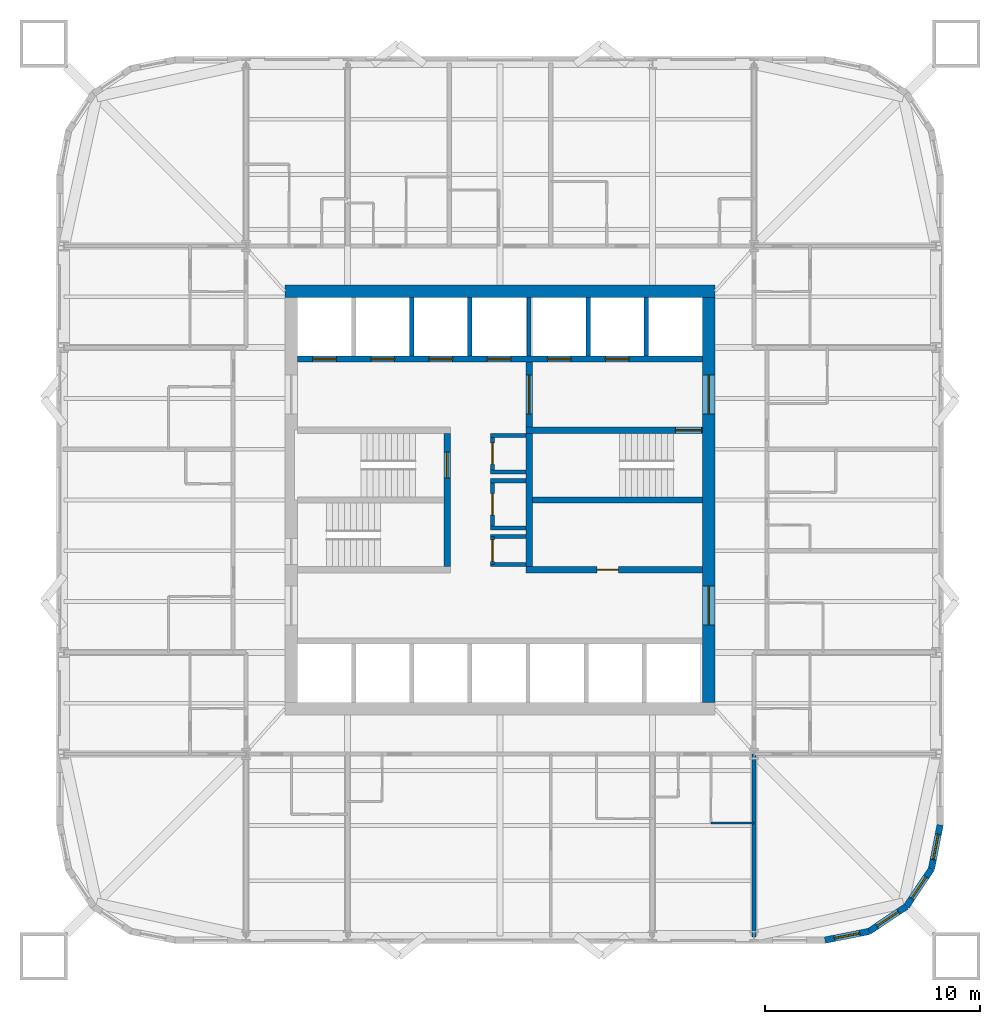
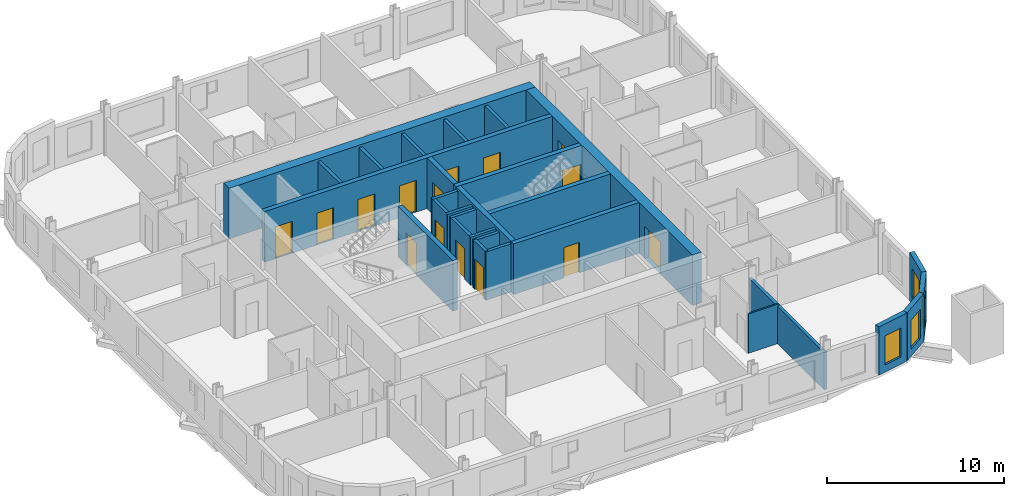
# One storey, part 5 of 9: 28 walls, 15 doors, 4 windows, 19 openings.
"""IFC4 building model written with IfcOpenShell, lengths in metres."""

from ifc_helpers import new_model, si_unit, direction, frame, frame_2d, origin, place, context, subcontext, project, spatial, rectangle, extrude, material, layer, layer_set, type_object, element, fill, save


model = new_model("IFC4")

# Units and contexts
model_context = context("Model", 3, precision=1e-05, world=origin(), true_north=direction((0.0, 1.0)))
body_context = subcontext(model_context, "Body", "Model", "MODEL_VIEW")
ifc_project = project(units=[si_unit("LENGTHUNIT", "METRE"), si_unit("AREAUNIT", "SQUARE_METRE"), si_unit("VOLUMEUNIT", "CUBIC_METRE"), si_unit("PLANEANGLEUNIT", "RADIAN"), si_unit("MASSUNIT", "GRAM", prefix="KILO")], contexts=[model_context])

# Site, building, storey
site_placement = place(None, origin())
site = spatial("IfcSite", under=ifc_project, at=site_placement, CompositionType="ELEMENT")
building_placement = place(site_placement, origin())
building = spatial("IfcBuilding", under=site, at=building_placement, Name="Turquesa Mirador Hotel Tower", CompositionType="ELEMENT")
storey_placement = place(building_placement, frame((0.0, 0.0, 117.89990234375)))
storey = spatial("IfcBuildingStorey", under=building, at=storey_placement, Name="L31", CompositionType="ELEMENT", Elevation=117.89990234375)

# Wall
ifc_material_1 = material(Name="Gypsum board on steel studs", Category="steel")
ifc_layer_1 = layer(ifc_material_1, 0.10009765625)
ifc_layer_set_1 = layer_set([ifc_layer_1], Name="BATHROOM WALL 100")
wall_type_1 = type_object("IfcWallType", Name="BATHROOM WALL 100", PredefinedType="PARTITIONING", material=ifc_layer_set_1)
wall_1_placement = place(storey_placement, frame((64.800048828125, 30.0, 0.0), z_axis=(0.0, 0.0, 1.0), x_axis=(1.0, 0.0, 0.0)))
element("IfcWall", 1, at=wall_1_placement, inside=storey, type_object=wall_type_1, Name="Partition L31 009", PredefinedType="PARTITIONING", context=body_context, shape_type="SweptSolid", body=[
    extrude(rectangle(XDim=2.0, YDim=0.10009765625, at=frame_2d((1.0, 0.0))), origin(), (0.0, 0.0, 1.0), 2.730712890625),
])

# Wall, openings, doors
ifc_material_2 = material(Name="Concrete C50/60", Category="concrete")
ifc_layer_2 = layer(ifc_material_2, 0.300048828125)
ifc_layer_set_2 = layer_set([ifc_layer_2], Name="CORE INNER WALL 300")
wall_type_2 = type_object("IfcWallType", Name="CORE INNER WALL 300", PredefinedType="SHEAR", material=ifc_layer_set_2)
wall_2_placement = place(storey_placement, frame((45.60009765625, 51.550048828125, 0.0), z_axis=(0.0, 0.0, 1.0), x_axis=(1.0, 0.0, 0.0)))
wall_2 = element("IfcWall", 2, at=wall_2_placement, inside=storey, type_object=wall_type_2, Name="Core wall NL", PredefinedType="SHEAR", context=body_context, shape_type="SweptSolid", body=[
    extrude(rectangle(XDim=18.7998046875, YDim=0.300048828125, at=frame_2d((9.39990234375, 0.0))), origin(), (0.0, 0.0, 1.0), 3.5),
])
opening_1_placement = place(wall_2_placement, frame((0.699951171875, 0.0, 0.0)))
opening_1 = element("IfcOpeningElement", 3, at=opening_1_placement, cuts=wall_2, Name="Opening LD", PredefinedType="OPENING", context=body_context, shape_type="SweptSolid", body=[
    extrude(rectangle(XDim=1.10009765625, YDim=2.199951171875, at=frame_2d((0.550048828125, 1.10009765625))), frame((0.0, 0.159912109375, 0.0), z_axis=(0.0, -1.0, 0.0), x_axis=(1.0, 0.0, 0.0)), (0.0, 0.0, 1.0), 0.320068359375),
])
opening_2_placement = place(wall_2_placement, frame((3.39990234375, 0.0, 0.0)))
opening_2 = element("IfcOpeningElement", 4, at=opening_2_placement, cuts=wall_2, Name="Opening LD", PredefinedType="OPENING", context=body_context, shape_type="SweptSolid", body=[
    extrude(rectangle(XDim=1.10009765625, YDim=2.199951171875, at=frame_2d((0.550048828125, 1.10009765625))), frame((0.0, 0.159912109375, 0.0), z_axis=(0.0, -1.0, 0.0), x_axis=(1.0, 0.0, 0.0)), (0.0, 0.0, 1.0), 0.320068359375),
])
opening_3_placement = place(wall_2_placement, frame((6.10009765625, 0.0, 0.0)))
opening_3 = element("IfcOpeningElement", 5, at=opening_3_placement, cuts=wall_2, Name="Opening LD", PredefinedType="OPENING", context=body_context, shape_type="SweptSolid", body=[
    extrude(rectangle(XDim=1.10009765625, YDim=2.199951171875, at=frame_2d((0.550048828125, 1.10009765625))), frame((0.0, 0.159912109375, 0.0), z_axis=(0.0, -1.0, 0.0), x_axis=(1.0, 0.0, 0.0)), (0.0, 0.0, 1.0), 0.320068359375),
])
opening_4_placement = place(wall_2_placement, frame((8.800048828125, 0.0, 0.0)))
opening_4 = element("IfcOpeningElement", 6, at=opening_4_placement, cuts=wall_2, Name="Opening LD", PredefinedType="OPENING", context=body_context, shape_type="SweptSolid", body=[
    extrude(rectangle(XDim=1.10009765625, YDim=2.199951171875, at=frame_2d((0.550048828125, 1.10009765625))), frame((0.0, 0.159912109375, 0.0), z_axis=(0.0, -1.0, 0.0), x_axis=(1.0, 0.0, 0.0)), (0.0, 0.0, 1.0), 0.320068359375),
])
opening_5_placement = place(wall_2_placement, frame((11.60009765625, 0.0, 0.0)))
opening_5 = element("IfcOpeningElement", 7, at=opening_5_placement, cuts=wall_2, Name="Opening LD", PredefinedType="OPENING", context=body_context, shape_type="SweptSolid", body=[
    extrude(rectangle(XDim=1.10009765625, YDim=2.199951171875, at=frame_2d((0.550048828125, 1.10009765625))), frame((0.0, 0.159912109375, 0.0), z_axis=(0.0, -1.0, 0.0), x_axis=(1.0, 0.0, 0.0)), (0.0, 0.0, 1.0), 0.320068359375),
])
opening_6_placement = place(wall_2_placement, frame((14.300048828125, 0.0, 0.0)))
opening_6 = element("IfcOpeningElement", 8, at=opening_6_placement, cuts=wall_2, Name="Opening LD", PredefinedType="OPENING", context=body_context, shape_type="SweptSolid", body=[
    extrude(rectangle(XDim=1.10009765625, YDim=2.199951171875, at=frame_2d((0.550048828125, 1.10009765625))), frame((0.0, 0.159912109375, 0.0), z_axis=(0.0, -1.0, 0.0), x_axis=(1.0, 0.0, 0.0)), (0.0, 0.0, 1.0), 0.320068359375),
])
ifc_material_3 = material(Name="Stainless steel lift landing door", Category="steel")
door_type_1 = type_object("IfcDoorType", Name="LIFT LANDING DOOR 1100X2200", OperationType="SLIDING_TO_LEFT", PredefinedType="DOOR", material=ifc_material_3)
door_1_placement = place(opening_1_placement, origin())
door_1 = element("IfcDoor", 9, at=door_1_placement, inside=storey, type_object=door_type_1, Name="Lift A1 landing door", OperationType="SLIDING_TO_LEFT", OverallHeight=2.199951171875, OverallWidth=1.10009765625, PredefinedType="DOOR", context=body_context, shape_type="SweptSolid", body=[
    extrude(rectangle(XDim=1.10009765625, YDim=2.199951171875, at=frame_2d((0.550048828125, 1.10009765625))), frame((0.0, 0.02490234375, 0.0), z_axis=(0.0, -1.0, 0.0), x_axis=(1.0, 0.0, 0.0)), (0.0, 0.0, 1.0), 0.050048828125),
])
fill(opening_1, door_1)
door_2_placement = place(opening_2_placement, origin())
door_2 = element("IfcDoor", 10, at=door_2_placement, inside=storey, type_object=door_type_1, Name="Lift A2 landing door", OperationType="SLIDING_TO_LEFT", OverallHeight=2.199951171875, OverallWidth=1.10009765625, PredefinedType="DOOR", context=body_context, shape_type="SweptSolid", body=[
    extrude(rectangle(XDim=1.10009765625, YDim=2.199951171875, at=frame_2d((0.550048828125, 1.10009765625))), frame((0.0, 0.02490234375, 0.0), z_axis=(0.0, -1.0, 0.0), x_axis=(1.0, 0.0, 0.0)), (0.0, 0.0, 1.0), 0.050048828125),
])
fill(opening_2, door_2)
door_3_placement = place(opening_3_placement, origin())
door_3 = element("IfcDoor", 11, at=door_3_placement, inside=storey, type_object=door_type_1, Name="Lift A3 landing door", OperationType="SLIDING_TO_LEFT", OverallHeight=2.199951171875, OverallWidth=1.10009765625, PredefinedType="DOOR", context=body_context, shape_type="SweptSolid", body=[
    extrude(rectangle(XDim=1.10009765625, YDim=2.199951171875, at=frame_2d((0.550048828125, 1.10009765625))), frame((0.0, 0.02490234375, 0.0), z_axis=(0.0, -1.0, 0.0), x_axis=(1.0, 0.0, 0.0)), (0.0, 0.0, 1.0), 0.050048828125),
])
fill(opening_3, door_3)
door_4_placement = place(opening_4_placement, origin())
door_4 = element("IfcDoor", 12, at=door_4_placement, inside=storey, type_object=door_type_1, Name="Lift A4 landing door", OperationType="SLIDING_TO_LEFT", OverallHeight=2.199951171875, OverallWidth=1.10009765625, PredefinedType="DOOR", context=body_context, shape_type="SweptSolid", body=[
    extrude(rectangle(XDim=1.10009765625, YDim=2.199951171875, at=frame_2d((0.550048828125, 1.10009765625))), frame((0.0, 0.02490234375, 0.0), z_axis=(0.0, -1.0, 0.0), x_axis=(1.0, 0.0, 0.0)), (0.0, 0.0, 1.0), 0.050048828125),
])
fill(opening_4, door_4)
door_5_placement = place(opening_5_placement, origin())
door_5 = element("IfcDoor", 13, at=door_5_placement, inside=storey, type_object=door_type_1, Name="Lift S1 landing door", OperationType="SLIDING_TO_LEFT", OverallHeight=2.199951171875, OverallWidth=1.10009765625, PredefinedType="DOOR", context=body_context, shape_type="SweptSolid", body=[
    extrude(rectangle(XDim=1.10009765625, YDim=2.199951171875, at=frame_2d((0.550048828125, 1.10009765625))), frame((0.0, 0.02490234375, 0.0), z_axis=(0.0, -1.0, 0.0), x_axis=(1.0, 0.0, 0.0)), (0.0, 0.0, 1.0), 0.050048828125),
])
fill(opening_5, door_5)
door_6_placement = place(opening_6_placement, origin())
door_6 = element("IfcDoor", 14, at=door_6_placement, inside=storey, type_object=door_type_1, Name="Lift S2 landing door", OperationType="SLIDING_TO_LEFT", OverallHeight=2.199951171875, OverallWidth=1.10009765625, PredefinedType="DOOR", context=body_context, shape_type="SweptSolid", body=[
    extrude(rectangle(XDim=1.10009765625, YDim=2.199951171875, at=frame_2d((0.550048828125, 1.10009765625))), frame((0.0, 0.02490234375, 0.0), z_axis=(0.0, -1.0, 0.0), x_axis=(1.0, 0.0, 0.0)), (0.0, 0.0, 1.0), 0.050048828125),
])
fill(opening_6, door_6)

# Wall, opening, door
wall_3_placement = place(storey_placement, frame((56.199951171875, 48.25, 0.0), z_axis=(0.0, 0.0, 1.0), x_axis=(1.0, 0.0, 0.0)))
wall_3 = element("IfcWall", 15, at=wall_3_placement, inside=storey, type_object=wall_type_2, Name="Core wall MN-E", PredefinedType="SHEAR", context=body_context, shape_type="SweptSolid", body=[
    extrude(rectangle(XDim=8.199951171875, YDim=0.300048828125, at=frame_2d((4.10009765625, 0.0))), origin(), (0.0, 0.0, 1.0), 3.5),
])
opening_7_placement = place(wall_3_placement, frame((6.949951171875, 0.0, 0.0)))
opening_7 = element("IfcOpeningElement", 16, at=opening_7_placement, cuts=wall_3, Name="Opening D03", PredefinedType="OPENING", context=body_context, shape_type="SweptSolid", body=[
    extrude(rectangle(XDim=1.199951171875, YDim=2.199951171875, at=frame_2d((0.60009765625, 1.10009765625))), frame((0.0, 0.159912109375, 0.0), z_axis=(0.0, -1.0, 0.0), x_axis=(1.0, 0.0, 0.0)), (0.0, 0.0, 1.0), 0.320068359375),
])
ifc_material_4 = material(Name="Steel fire door", Category="steel")
door_type_2 = type_object("IfcDoorType", Name="DOOR 1200X2200 STAIR", OperationType="SINGLE_SWING_LEFT", PredefinedType="DOOR", material=ifc_material_4)
door_7_placement = place(opening_7_placement, origin())
door_7 = element("IfcDoor", 17, at=door_7_placement, inside=storey, type_object=door_type_2, Name="Stair ST3 door", OperationType="SINGLE_SWING_LEFT", OverallHeight=2.199951171875, OverallWidth=1.199951171875, PredefinedType="DOOR", context=body_context, shape_type="SweptSolid", body=[
    extrude(rectangle(XDim=1.199951171875, YDim=2.199951171875, at=frame_2d((0.60009765625, 1.10009765625))), frame((0.0, 0.02490234375, 0.0), z_axis=(0.0, -1.0, 0.0), x_axis=(1.0, 0.0, 0.0)), (0.0, 0.0, 1.0), 0.050048828125),
])
fill(opening_7, door_7)

wall_4_placement = place(storey_placement, frame((56.199951171875, 41.75, 0.0), z_axis=(0.0, 0.0, 1.0), x_axis=(1.0, 0.0, 0.0)))
wall_4 = element("IfcWall", 18, at=wall_4_placement, inside=storey, type_object=wall_type_2, Name="Core wall MS-E", PredefinedType="SHEAR", context=body_context, shape_type="SweptSolid", body=[
    extrude(rectangle(XDim=8.199951171875, YDim=0.300048828125, at=frame_2d((4.10009765625, 0.0))), origin(), (0.0, 0.0, 1.0), 3.5),
])
opening_8_placement = place(wall_4_placement, frame((3.300048828125, 0.0, 0.0)))
opening_8 = element("IfcOpeningElement", 19, at=opening_8_placement, cuts=wall_4, Name="Opening D05", PredefinedType="OPENING", context=body_context, shape_type="SweptSolid", body=[
    extrude(rectangle(XDim=1.0, YDim=2.10009765625, at=frame_2d((0.5, 1.050048828125))), frame((0.0, 0.159912109375, 0.0), z_axis=(0.0, -1.0, 0.0), x_axis=(1.0, 0.0, 0.0)), (0.0, 0.0, 1.0), 0.320068359375),
])
ifc_material_5 = material(Name="Steel fire door", Category="steel")
door_type_3 = type_object("IfcDoorType", Name="DOOR 1000X2100 SERVICE", OperationType="SINGLE_SWING_LEFT", PredefinedType="DOOR", material=ifc_material_5)
door_8_placement = place(opening_8_placement, origin())
door_8 = element("IfcDoor", 20, at=door_8_placement, inside=storey, type_object=door_type_3, Name="Housekeeping room door", OperationType="SINGLE_SWING_LEFT", OverallHeight=2.10009765625, OverallWidth=1.0, PredefinedType="DOOR", context=body_context, shape_type="SweptSolid", body=[
    extrude(rectangle(XDim=1.0, YDim=2.10009765625, at=frame_2d((0.5, 1.050048828125))), frame((0.0, 0.02490234375, 0.0), z_axis=(0.0, -1.0, 0.0), x_axis=(1.0, 0.0, 0.0)), (0.0, 0.0, 1.0), 0.050048828125),
])
fill(opening_8, door_8)

wall_5_placement = place(storey_placement, frame((52.550048828125, 41.89990234375, 0.0), z_axis=(0.0, 0.0, 1.0), x_axis=(0.0, 1.0, 0.0)))
wall_5 = element("IfcWall", 21, at=wall_5_placement, inside=storey, type_object=wall_type_2, Name="Core wall PW", PredefinedType="SHEAR", context=body_context, shape_type="SweptSolid", body=[
    extrude(rectangle(XDim=6.2001953125, YDim=0.300048828125, at=frame_2d((3.10009765625, 0.0))), origin(), (0.0, 0.0, 1.0), 3.5),
])
opening_9_placement = place(wall_5_placement, frame((4.125, 0.0, 0.0)))
opening_9 = element("IfcOpeningElement", 22, at=opening_9_placement, cuts=wall_5, Name="Opening D03", PredefinedType="OPENING", context=body_context, shape_type="SweptSolid", body=[
    extrude(rectangle(XDim=1.199951171875, YDim=2.199951171875, at=frame_2d((0.60009765625, 1.10009765625))), frame((0.0, 0.159912109375, 0.0), z_axis=(0.0, -1.0, 0.0), x_axis=(1.0, 0.0, 0.0)), (0.0, 0.0, 1.0), 0.320068359375),
])
door_9_placement = place(opening_9_placement, origin())
door_9 = element("IfcDoor", 23, at=door_9_placement, inside=storey, type_object=door_type_2, Name="Stair ST1 door", OperationType="SINGLE_SWING_LEFT", OverallHeight=2.199951171875, OverallWidth=1.199951171875, PredefinedType="DOOR", context=body_context, shape_type="SweptSolid", body=[
    extrude(rectangle(XDim=1.199951171875, YDim=2.199951171875, at=frame_2d((0.60009765625, 1.10009765625))), frame((0.0, 0.02490234375, 0.0), z_axis=(0.0, -1.0, 0.0), x_axis=(1.0, 0.0, 0.0)), (0.0, 0.0, 1.0), 0.050048828125),
])
fill(opening_9, door_9)

wall_6_placement = place(storey_placement, frame((56.35009765625, 41.89990234375, 0.0), z_axis=(0.0, 0.0, 1.0), x_axis=(0.0, 1.0, 0.0)))
wall_6 = element("IfcWall", 24, at=wall_6_placement, inside=storey, type_object=wall_type_2, Name="Core wall PE", PredefinedType="SHEAR", context=body_context, shape_type="SweptSolid", body=[
    extrude(rectangle(XDim=9.5, YDim=0.300048828125, at=frame_2d((4.75, 0.0))), origin(), (0.0, 0.0, 1.0), 3.5),
])
opening_10_placement = place(wall_6_placement, frame((7.10009765625, 0.0, 0.0)))
opening_10 = element("IfcOpeningElement", 25, at=opening_10_placement, cuts=wall_6, Name="Opening D04", PredefinedType="OPENING", context=body_context, shape_type="SweptSolid", body=[
    extrude(rectangle(XDim=1.800048828125, YDim=2.199951171875, at=frame_2d((0.89990234375, 1.10009765625))), frame((0.0, 0.159912109375, 0.0), z_axis=(0.0, -1.0, 0.0), x_axis=(1.0, 0.0, 0.0)), (0.0, 0.0, 1.0), 0.320068359375),
])
ifc_material_6 = material(Name="Steel fire door pair", Category="steel")
door_type_4 = type_object("IfcDoorType", Name="DOOR 1800X2200 PAIR", OperationType="DOUBLE_DOOR_SINGLE_SWING", PredefinedType="DOOR", material=ifc_material_6)
door_10_placement = place(opening_10_placement, origin())
door_10 = element("IfcDoor", 26, at=door_10_placement, inside=storey, type_object=door_type_4, Name="Firefighting lobby inner door", OperationType="DOUBLE_DOOR_SINGLE_SWING", OverallHeight=2.199951171875, OverallWidth=1.800048828125, PredefinedType="DOOR", context=body_context, shape_type="SweptSolid", body=[
    extrude(rectangle(XDim=1.800048828125, YDim=2.199951171875, at=frame_2d((0.89990234375, 1.10009765625))), frame((0.0, 0.02490234375, 0.0), z_axis=(0.0, -1.0, 0.0), x_axis=(1.0, 0.0, 0.0)), (0.0, 0.0, 1.0), 0.050048828125),
])
fill(opening_10, door_10)

# Walls
wall_7_placement = place(storey_placement, frame((56.5, 45.0, 0.0), z_axis=(0.0, 0.0, 1.0), x_axis=(1.0, 0.0, 0.0)))
element("IfcWall", 27, at=wall_7_placement, inside=storey, type_object=wall_type_2, Name="Core wall M0-E", PredefinedType="SHEAR", context=body_context, shape_type="SweptSolid", body=[
    extrude(rectangle(XDim=7.89990234375, YDim=0.300048828125, at=frame_2d((3.949951171875, 0.0))), origin(), (0.0, 0.0, 1.0), 3.5),
])
ifc_material_7 = material(Name="Concrete C50/60", Category="concrete")
ifc_layer_3 = layer(ifc_material_7, 0.60009765625)
ifc_layer_set_3 = layer_set([ifc_layer_3], Name="CORE WALL 600")
wall_type_3 = type_object("IfcWallType", Name="CORE WALL 600", PredefinedType="SHEAR", material=ifc_layer_set_3)
wall_8_placement = place(storey_placement, frame((45.0, 54.699951171875, 0.0), z_axis=(0.0, 0.0, 1.0), x_axis=(1.0, 0.0, 0.0)))
element("IfcWall", 28, at=wall_8_placement, inside=storey, type_object=wall_type_3, Name="Core wall N", PredefinedType="SHEAR", context=body_context, shape_type="SweptSolid", body=[
    extrude(rectangle(XDim=20.0, YDim=0.60009765625, at=frame_2d((10.0, 0.0))), origin(), (0.0, 0.0, 1.0), 3.5),
])

# Wall, openings, doors
wall_9_placement = place(storey_placement, frame((64.699951171875, 35.60009765625, 0.0), z_axis=(0.0, 0.0, 1.0), x_axis=(0.0, 1.0, 0.0)))
wall_9 = element("IfcWall", 29, at=wall_9_placement, inside=storey, type_object=wall_type_3, Name="Core wall E", PredefinedType="SHEAR", context=body_context, shape_type="SweptSolid", body=[
    extrude(rectangle(XDim=18.7998046875, YDim=0.60009765625, at=frame_2d((9.39990234375, 0.0))), origin(), (0.0, 0.0, 1.0), 3.5),
])
opening_11_placement = place(wall_9_placement, frame((13.39990234375, 0.0, 0.0)))
opening_11 = element("IfcOpeningElement", 30, at=opening_11_placement, cuts=wall_9, Name="Opening D04", PredefinedType="OPENING", context=body_context, shape_type="SweptSolid", body=[
    extrude(rectangle(XDim=1.800048828125, YDim=2.199951171875, at=frame_2d((0.89990234375, 1.10009765625))), frame((0.0, 0.31005859375, 0.0), z_axis=(0.0, -1.0, 0.0), x_axis=(1.0, 0.0, 0.0)), (0.0, 0.0, 1.0), 0.6201171875),
])
opening_12_placement = place(wall_9_placement, frame((3.60009765625, 0.0, 0.0)))
opening_12 = element("IfcOpeningElement", 31, at=opening_12_placement, cuts=wall_9, Name="Opening D04", PredefinedType="OPENING", context=body_context, shape_type="SweptSolid", body=[
    extrude(rectangle(XDim=1.800048828125, YDim=2.199951171875, at=frame_2d((0.89990234375, 1.10009765625))), frame((0.0, 0.31005859375, 0.0), z_axis=(0.0, -1.0, 0.0), x_axis=(1.0, 0.0, 0.0)), (0.0, 0.0, 1.0), 0.6201171875),
])
door_11_placement = place(opening_11_placement, origin())
door_11 = element("IfcDoor", 32, at=door_11_placement, inside=storey, type_object=door_type_4, Name="Firefighting lobby door", OperationType="DOUBLE_DOOR_SINGLE_SWING", OverallHeight=2.199951171875, OverallWidth=1.800048828125, PredefinedType="DOOR", context=body_context, shape_type="SweptSolid", body=[
    extrude(rectangle(XDim=1.800048828125, YDim=2.199951171875, at=frame_2d((0.89990234375, 1.10009765625))), frame((0.0, 0.02490234375, 0.0), z_axis=(0.0, -1.0, 0.0), x_axis=(1.0, 0.0, 0.0)), (0.0, 0.0, 1.0), 0.050048828125),
])
fill(opening_11, door_11)
door_12_placement = place(opening_12_placement, origin())
door_12 = element("IfcDoor", 33, at=door_12_placement, inside=storey, type_object=door_type_4, Name="South lift lobby door", OperationType="DOUBLE_DOOR_SINGLE_SWING", OverallHeight=2.199951171875, OverallWidth=1.800048828125, PredefinedType="DOOR", context=body_context, shape_type="SweptSolid", body=[
    extrude(rectangle(XDim=1.800048828125, YDim=2.199951171875, at=frame_2d((0.89990234375, 1.10009765625))), frame((0.0, 0.02490234375, 0.0), z_axis=(0.0, -1.0, 0.0), x_axis=(1.0, 0.0, 0.0)), (0.0, 0.0, 1.0), 0.050048828125),
])
fill(opening_12, door_12)

# Wall, opening, window
ifc_material_8 = material(Name="Limestone cladding on concrete block", Category="masonry")
ifc_layer_4 = layer(ifc_material_8, 0.300048828125)
ifc_layer_set_4 = layer_set([ifc_layer_4], Name="FACADE WALL 300 STONE SCREEN")
wall_type_4 = type_object("IfcWallType", Name="FACADE WALL 300 STONE SCREEN", PredefinedType="SOLIDWALL", material=ifc_layer_set_4)
wall_10_placement = place(storey_placement, frame((70.10009765625, 24.550048828125, 0.0), z_axis=(0.0, 0.0, 1.0), x_axis=(0.980787050784, 0.195081421501, 0.0)))
wall_10 = element("IfcWall", 34, at=wall_10_placement, inside=storey, type_object=wall_type_4, Name="Facade wall L31 00", PredefinedType="SOLIDWALL", context=body_context, shape_type="SweptSolid", body=[
    extrude(rectangle(XDim=2.08740234375, YDim=0.300048828125, at=frame_2d((1.043701171875, 0.0))), origin(), (0.0, 0.0, 1.0), 3.330078125),
])
opening_13_placement = place(wall_10_placement, frame((0.443603515625, 0.0, 0.5)))
opening_13 = element("IfcOpeningElement", 35, at=opening_13_placement, cuts=wall_10, Name="Opening WN4", PredefinedType="OPENING", context=body_context, shape_type="SweptSolid", body=[
    extrude(rectangle(XDim=1.199951171875, YDim=2.0, at=frame_2d((0.60009765625, 1.0))), frame((0.0, 0.159912109375, 0.0), z_axis=(0.0, -1.0, 0.0), x_axis=(1.0, 0.0, 0.0)), (0.0, 0.0, 1.0), 0.320068359375),
])
ifc_material_9 = material(Name="Ceramic-fritted laminated glass", Category="glass")
window_type = type_object("IfcWindowType", Name="FRITTED CORNER WINDOW 1200X2000", PartitioningType="DOUBLE_PANEL_HORIZONTAL", PredefinedType="WINDOW", material=ifc_material_9)
window_1_placement = place(opening_13_placement, origin())
window_1 = element("IfcWindow", 36, at=window_1_placement, inside=storey, type_object=window_type, Name="Window L31", OverallHeight=2.0, OverallWidth=1.199951171875, PartitioningType="SINGLE_PANEL", PredefinedType="WINDOW", context=body_context, shape_type="SweptSolid", body=[
    extrude(rectangle(XDim=1.199951171875, YDim=2.0, at=frame_2d((0.60009765625, 1.0))), frame((0.0, 0.030029296875, 0.0), z_axis=(0.0, -1.0, 0.0), x_axis=(1.0, 0.0, 0.0)), (0.0, 0.0, 1.0), 0.06005859375),
])
fill(opening_13, window_1)

wall_11_placement = place(storey_placement, frame((72.1474609375, 24.957275390625, 0.0), z_axis=(0.0, 0.0, 1.0), x_axis=(0.831474039234, 0.555563607591, 0.0)))
wall_11 = element("IfcWall", 37, at=wall_11_placement, inside=storey, type_object=wall_type_4, Name="Facade wall L31 01", PredefinedType="SOLIDWALL", context=body_context, shape_type="SweptSolid", body=[
    extrude(rectangle(XDim=2.08740234375, YDim=0.300048828125, at=frame_2d((1.043701171875, 0.0))), origin(), (0.0, 0.0, 1.0), 3.330078125),
])
opening_14_placement = place(wall_11_placement, frame((0.443603515625, 0.0, 0.5)))
opening_14 = element("IfcOpeningElement", 38, at=opening_14_placement, cuts=wall_11, Name="Opening WN4", PredefinedType="OPENING", context=body_context, shape_type="SweptSolid", body=[
    extrude(rectangle(XDim=1.199951171875, YDim=2.0, at=frame_2d((0.60009765625, 1.0))), frame((0.0, 0.159912109375, 0.0), z_axis=(0.0, -1.0, 0.0), x_axis=(1.0, 0.0, 0.0)), (0.0, 0.0, 1.0), 0.320068359375),
])
window_2_placement = place(opening_14_placement, origin())
window_2 = element("IfcWindow", 39, at=window_2_placement, inside=storey, type_object=window_type, Name="Window L31", OverallHeight=2.0, OverallWidth=1.199951171875, PartitioningType="SINGLE_PANEL", PredefinedType="WINDOW", context=body_context, shape_type="SweptSolid", body=[
    extrude(rectangle(XDim=1.199951171875, YDim=2.0, at=frame_2d((0.60009765625, 1.0))), frame((0.0, 0.030029296875, 0.0), z_axis=(0.0, -1.0, 0.0), x_axis=(1.0, 0.0, 0.0)), (0.0, 0.0, 1.0), 0.06005859375),
])
fill(opening_14, window_2)

wall_12_placement = place(storey_placement, frame((73.883056640625, 26.116943359375, 0.0), z_axis=(0.0, 0.0, 1.0), x_axis=(0.555563607591, 0.831474039234, 0.0)))
wall_12 = element("IfcWall", 40, at=wall_12_placement, inside=storey, type_object=wall_type_4, Name="Facade wall L31 02", PredefinedType="SOLIDWALL", context=body_context, shape_type="SweptSolid", body=[
    extrude(rectangle(XDim=2.08740234375, YDim=0.300048828125, at=frame_2d((1.043701171875, 0.0))), origin(), (0.0, 0.0, 1.0), 3.330078125),
])
opening_15_placement = place(wall_12_placement, frame((0.443603515625, 0.0, 0.5)))
opening_15 = element("IfcOpeningElement", 41, at=opening_15_placement, cuts=wall_12, Name="Opening WN4", PredefinedType="OPENING", context=body_context, shape_type="SweptSolid", body=[
    extrude(rectangle(XDim=1.199951171875, YDim=2.0, at=frame_2d((0.60009765625, 1.0))), frame((0.0, 0.159912109375, 0.0), z_axis=(0.0, -1.0, 0.0), x_axis=(1.0, 0.0, 0.0)), (0.0, 0.0, 1.0), 0.320068359375),
])
window_3_placement = place(opening_15_placement, origin())
window_3 = element("IfcWindow", 42, at=window_3_placement, inside=storey, type_object=window_type, Name="Window L31", OverallHeight=2.0, OverallWidth=1.199951171875, PartitioningType="SINGLE_PANEL", PredefinedType="WINDOW", context=body_context, shape_type="SweptSolid", body=[
    extrude(rectangle(XDim=1.199951171875, YDim=2.0, at=frame_2d((0.60009765625, 1.0))), frame((0.0, 0.030029296875, 0.0), z_axis=(0.0, -1.0, 0.0), x_axis=(1.0, 0.0, 0.0)), (0.0, 0.0, 1.0), 0.06005859375),
])
fill(opening_15, window_3)

wall_13_placement = place(storey_placement, frame((75.042724609375, 27.8525390625, 0.0), z_axis=(0.0, 0.0, 1.0), x_axis=(0.195081421501, 0.980787050784, 0.0)))
wall_13 = element("IfcWall", 43, at=wall_13_placement, inside=storey, type_object=wall_type_4, Name="Facade wall L31 03", PredefinedType="SOLIDWALL", context=body_context, shape_type="SweptSolid", body=[
    extrude(rectangle(XDim=2.08740234375, YDim=0.300048828125, at=frame_2d((1.043701171875, 0.0))), origin(), (0.0, 0.0, 1.0), 3.330078125),
])
opening_16_placement = place(wall_13_placement, frame((0.443603515625, 0.0, 0.5)))
opening_16 = element("IfcOpeningElement", 44, at=opening_16_placement, cuts=wall_13, Name="Opening WN4", PredefinedType="OPENING", context=body_context, shape_type="SweptSolid", body=[
    extrude(rectangle(XDim=1.199951171875, YDim=2.0, at=frame_2d((0.60009765625, 1.0))), frame((0.0, 0.159912109375, 0.0), z_axis=(0.0, -1.0, 0.0), x_axis=(1.0, 0.0, 0.0)), (0.0, 0.0, 1.0), 0.320068359375),
])
window_4_placement = place(opening_16_placement, origin())
window_4 = element("IfcWindow", 45, at=window_4_placement, inside=storey, type_object=window_type, Name="Window L31", OverallHeight=2.0, OverallWidth=1.199951171875, PartitioningType="SINGLE_PANEL", PredefinedType="WINDOW", context=body_context, shape_type="SweptSolid", body=[
    extrude(rectangle(XDim=1.199951171875, YDim=2.0, at=frame_2d((0.60009765625, 1.0))), frame((0.0, 0.030029296875, 0.0), z_axis=(0.0, -1.0, 0.0), x_axis=(1.0, 0.0, 0.0)), (0.0, 0.0, 1.0), 0.06005859375),
])
fill(opening_16, window_4)

# Wall, opening, door
ifc_material_10 = material(Name="Fire-rated gypsum board on steel studs", Category="steel")
ifc_layer_5 = layer(ifc_material_10, 0.199951171875)
ifc_layer_set_5 = layer_set([ifc_layer_5], Name="FIRE PARTITION 200")
wall_type_5 = type_object("IfcWallType", Name="FIRE PARTITION 200", PredefinedType="PARTITIONING", material=ifc_layer_set_5)
wall_14_placement = place(storey_placement, frame((54.64990234375, 42.0, 0.0), z_axis=(0.0, 0.0, 1.0), x_axis=(0.0, 1.0, 0.0)))
wall_14 = element("IfcWall", 46, at=wall_14_placement, inside=storey, type_object=wall_type_5, Name="Partition L31 CM W", PredefinedType="PARTITIONING", context=body_context, shape_type="SweptSolid", body=[
    extrude(rectangle(XDim=1.300048828125, YDim=0.199951171875, at=frame_2d((0.64990234375, 0.0))), origin(), (0.0, 0.0, 1.0), 3.330078125),
])
opening_17_placement = place(wall_14_placement, frame((0.14990234375, 0.0, 0.0)))
opening_17 = element("IfcOpeningElement", 47, at=opening_17_placement, cuts=wall_14, Name="Opening D05", PredefinedType="OPENING", context=body_context, shape_type="SweptSolid", body=[
    extrude(rectangle(XDim=1.0, YDim=2.10009765625, at=frame_2d((0.5, 1.050048828125))), frame((0.0, 0.10986328125, 0.0), z_axis=(0.0, -1.0, 0.0), x_axis=(1.0, 0.0, 0.0)), (0.0, 0.0, 1.0), 0.219970703125),
])
door_13_placement = place(opening_17_placement, origin())
door_13 = element("IfcDoor", 48, at=door_13_placement, inside=storey, type_object=door_type_3, Name="Comms room door", OperationType="SINGLE_SWING_LEFT", OverallHeight=2.10009765625, OverallWidth=1.0, PredefinedType="DOOR", context=body_context, shape_type="SweptSolid", body=[
    extrude(rectangle(XDim=1.0, YDim=2.10009765625, at=frame_2d((0.5, 1.050048828125))), frame((0.0, 0.02490234375, 0.0), z_axis=(0.0, -1.0, 0.0), x_axis=(1.0, 0.0, 0.0)), (0.0, 0.0, 1.0), 0.050048828125),
])
fill(opening_17, door_13)

# Walls
for number, where, z_axis, x_axis, name in (
    (49, (54.550048828125, 42.0, 0.0), (0.0, 0.0, 1.0), (1.0, 0.0, 0.0), "Partition L31 CM S"),
    (50, (54.550048828125, 43.300048828125, 0.0), (0.0, 0.0, 1.0), (1.0, 0.0, 0.0), "Partition L31 CM N"),
):
    element("IfcWall", number, at=place(storey_placement, frame(where, z_axis=z_axis, x_axis=x_axis)), inside=storey, type_object=wall_type_5, Name=name, PredefinedType="PARTITIONING", context=body_context, shape_type="SweptSolid", body=[
        extrude(rectangle(XDim=1.64990234375, YDim=0.199951171875, at=frame_2d((0.824951171875, 0.0))), origin(), (0.0, 0.0, 1.0), 3.330078125),
    ])

# Wall, opening, door
wall_15_placement = place(storey_placement, frame((54.64990234375, 43.699951171875, 0.0), z_axis=(0.0, 0.0, 1.0), x_axis=(0.0, 1.0, 0.0)))
wall_15 = element("IfcWall", 51, at=wall_15_placement, inside=storey, type_object=wall_type_5, Name="Partition L31 VD W", PredefinedType="PARTITIONING", context=body_context, shape_type="SweptSolid", body=[
    extrude(rectangle(XDim=2.199951171875, YDim=0.199951171875, at=frame_2d((1.10009765625, 0.0))), origin(), (0.0, 0.0, 1.0), 3.330078125),
])
opening_18_placement = place(wall_15_placement, frame((0.60009765625, 0.0, 0.0)))
opening_18 = element("IfcOpeningElement", 52, at=opening_18_placement, cuts=wall_15, Name="Opening D05", PredefinedType="OPENING", context=body_context, shape_type="SweptSolid", body=[
    extrude(rectangle(XDim=1.0, YDim=2.10009765625, at=frame_2d((0.5, 1.050048828125))), frame((0.0, 0.10986328125, 0.0), z_axis=(0.0, -1.0, 0.0), x_axis=(1.0, 0.0, 0.0)), (0.0, 0.0, 1.0), 0.219970703125),
])
door_14_placement = place(opening_18_placement, origin())
door_14 = element("IfcDoor", 53, at=door_14_placement, inside=storey, type_object=door_type_3, Name="Ice and vending room door", OperationType="SINGLE_SWING_LEFT", OverallHeight=2.10009765625, OverallWidth=1.0, PredefinedType="DOOR", context=body_context, shape_type="SweptSolid", body=[
    extrude(rectangle(XDim=1.0, YDim=2.10009765625, at=frame_2d((0.5, 1.050048828125))), frame((0.0, 0.02490234375, 0.0), z_axis=(0.0, -1.0, 0.0), x_axis=(1.0, 0.0, 0.0)), (0.0, 0.0, 1.0), 0.050048828125),
])
fill(opening_18, door_14)

# Walls
for number, where, z_axis, x_axis, name in (
    (54, (54.550048828125, 43.699951171875, 0.0), (0.0, 0.0, 1.0), (1.0, 0.0, 0.0), "Partition L31 VD S"),
    (55, (54.550048828125, 45.89990234375, 0.0), (0.0, 0.0, 1.0), (1.0, 0.0, 0.0), "Partition L31 VD N"),
):
    element("IfcWall", number, at=place(storey_placement, frame(where, z_axis=z_axis, x_axis=x_axis)), inside=storey, type_object=wall_type_5, Name=name, PredefinedType="PARTITIONING", context=body_context, shape_type="SweptSolid", body=[
        extrude(rectangle(XDim=1.64990234375, YDim=0.199951171875, at=frame_2d((0.824951171875, 0.0))), origin(), (0.0, 0.0, 1.0), 3.330078125),
    ])

# Wall, opening, door
wall_16_placement = place(storey_placement, frame((54.64990234375, 46.300048828125, 0.0), z_axis=(0.0, 0.0, 1.0), x_axis=(0.0, 1.0, 0.0)))
wall_16 = element("IfcWall", 56, at=wall_16_placement, inside=storey, type_object=wall_type_5, Name="Partition L31 CL W", PredefinedType="PARTITIONING", context=body_context, shape_type="SweptSolid", body=[
    extrude(rectangle(XDim=1.699951171875, YDim=0.199951171875, at=frame_2d((0.85009765625, 0.0))), origin(), (0.0, 0.0, 1.0), 3.330078125),
])
opening_19_placement = place(wall_16_placement, frame((0.35009765625, 0.0, 0.0)))
opening_19 = element("IfcOpeningElement", 57, at=opening_19_placement, cuts=wall_16, Name="Opening D05", PredefinedType="OPENING", context=body_context, shape_type="SweptSolid", body=[
    extrude(rectangle(XDim=1.0, YDim=2.10009765625, at=frame_2d((0.5, 1.050048828125))), frame((0.0, 0.10986328125, 0.0), z_axis=(0.0, -1.0, 0.0), x_axis=(1.0, 0.0, 0.0)), (0.0, 0.0, 1.0), 0.219970703125),
])
door_15_placement = place(opening_19_placement, origin())
door_15 = element("IfcDoor", 58, at=door_15_placement, inside=storey, type_object=door_type_3, Name="Cleaner's cupboard door", OperationType="SINGLE_SWING_LEFT", OverallHeight=2.10009765625, OverallWidth=1.0, PredefinedType="DOOR", context=body_context, shape_type="SweptSolid", body=[
    extrude(rectangle(XDim=1.0, YDim=2.10009765625, at=frame_2d((0.5, 1.050048828125))), frame((0.0, 0.02490234375, 0.0), z_axis=(0.0, -1.0, 0.0), x_axis=(1.0, 0.0, 0.0)), (0.0, 0.0, 1.0), 0.050048828125),
])
fill(opening_19, door_15)

# Walls
for number, where, z_axis, x_axis, name in (
    (59, (54.550048828125, 46.300048828125, 0.0), (0.0, 0.0, 1.0), (1.0, 0.0, 0.0), "Partition L31 CL S"),
    (60, (54.550048828125, 48.0, 0.0), (0.0, 0.0, 1.0), (1.0, 0.0, 0.0), "Partition L31 CL N"),
):
    element("IfcWall", number, at=place(storey_placement, frame(where, z_axis=z_axis, x_axis=x_axis)), inside=storey, type_object=wall_type_5, Name=name, PredefinedType="PARTITIONING", context=body_context, shape_type="SweptSolid", body=[
        extrude(rectangle(XDim=1.64990234375, YDim=0.199951171875, at=frame_2d((0.824951171875, 0.0))), origin(), (0.0, 0.0, 1.0), 3.330078125),
    ])
ifc_material_11 = material(Name="Fire-rated gypsum shaft wall on steel studs", Category="steel")
ifc_layer_6 = layer(ifc_material_11, 0.199951171875)
ifc_layer_set_6 = layer_set([ifc_layer_6], Name="LIFT SHAFT DIVIDER 200")
wall_type_6 = type_object("IfcWallType", Name="LIFT SHAFT DIVIDER 200", PredefinedType="PARTITIONING", material=ifc_layer_set_6)
for number, where, z_axis, x_axis, name in (
    (61, (50.89990234375, 51.699951171875, 0.0), (0.0, 0.0, 1.0), (0.0, 1.0, 0.0), "Lift shaft divider"),
    (62, (53.60009765625, 51.699951171875, 0.0), (0.0, 0.0, 1.0), (0.0, 1.0, 0.0), "Lift shaft divider"),
    (63, (59.10009765625, 51.699951171875, 0.0), (0.0, 0.0, 1.0), (0.0, 1.0, 0.0), "Lift shaft divider"),
    (64, (61.800048828125, 51.699951171875, 0.0), (0.0, 0.0, 1.0), (0.0, 1.0, 0.0), "Lift shaft divider"),
    (65, (56.35009765625, 51.699951171875, 0.0), (0.0, 0.0, 1.0), (0.0, 1.0, 0.0), "Lift shaft divider"),
):
    element("IfcWall", number, at=place(storey_placement, frame(where, z_axis=z_axis, x_axis=x_axis)), inside=storey, type_object=wall_type_6, Name=name, PredefinedType="PARTITIONING", context=body_context, shape_type="SweptSolid", body=[
        extrude(rectangle(XDim=2.699951171875, YDim=0.199951171875, at=frame_2d((1.35009765625, 0.0))), origin(), (0.0, 0.0, 1.0), 3.330078125),
    ])
ifc_material_12 = material(Name="Fire-rated gypsum board on steel studs", Category="steel")
ifc_layer_7 = layer(ifc_material_12, 0.199951171875)
ifc_layer_set_7 = layer_set([ifc_layer_7], Name="PARTY WALL 200")
wall_type_7 = type_object("IfcWallType", Name="PARTY WALL 200", PredefinedType="PARTITIONING", material=ifc_layer_set_7)
wall_17_placement = place(storey_placement, frame((66.800048828125, 24.699951171875, 0.0), z_axis=(0.0, 0.0, 1.0), x_axis=(0.0, 1.0, 0.0)))
element("IfcWall", 66, at=wall_17_placement, inside=storey, type_object=wall_type_7, Name="Partition L31 067", PredefinedType="PARTITIONING", context=body_context, shape_type="SweptSolid", body=[
    extrude(rectangle(XDim=8.5, YDim=0.199951171875, at=frame_2d((4.25, 0.0))), origin(), (0.0, 0.0, 1.0), 2.5732421875),
])

save(model, "model.ifc")
